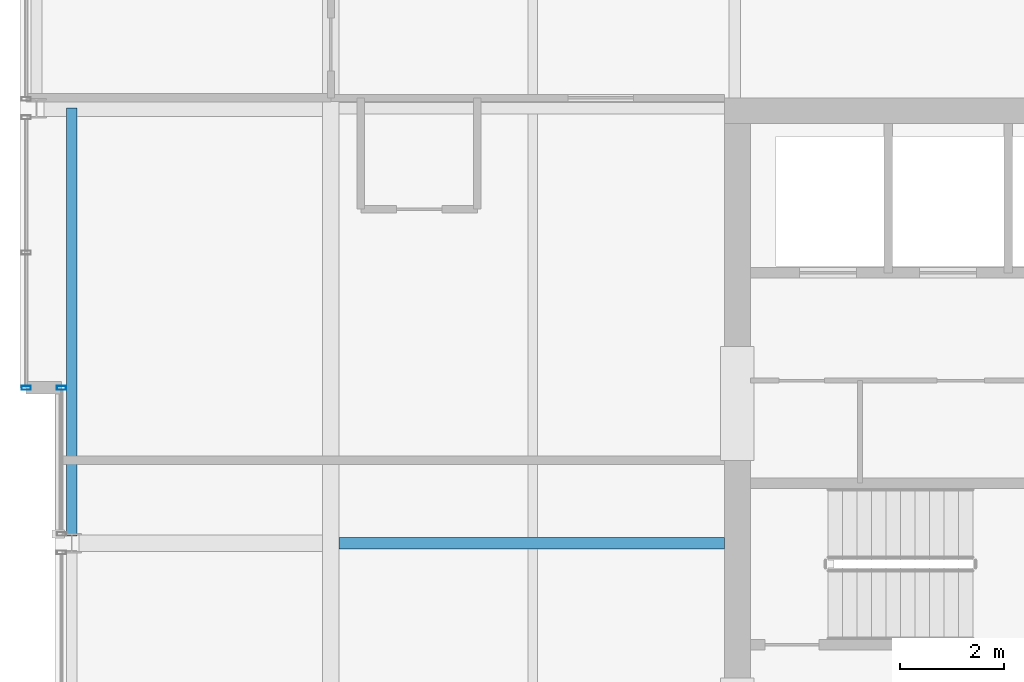
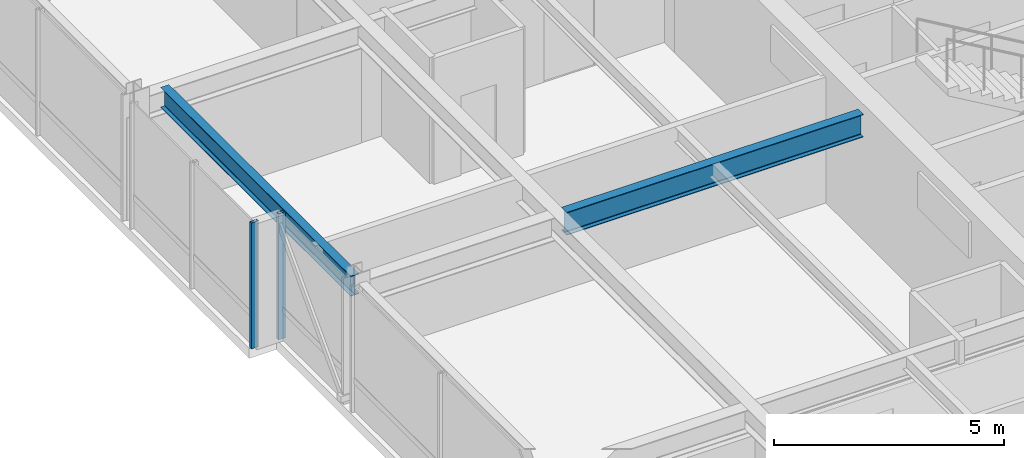
# One storey, part 11 of 33: 2 beams, 2 members, 2 elements without a shape of their own.
"""IFC4 building model written with IfcOpenShell, lengths in metres."""

from ifc_helpers import new_model, si_unit, direction, frame, origin, origin_2d, place, context, subcontext, project, spatial, hollow_rectangle, i_section, extrude, material, layer, layer_set, material_profile, profile_set, type_object, element, aggregate, save


model = new_model("IFC4")

# Units and contexts
model_context = context("Model", 3, precision=1e-05, world=origin(), true_north=direction((0.0, 1.0)))
body_context = subcontext(model_context, "Body", "Model", "MODEL_VIEW")
ifc_project = project(units=[si_unit("LENGTHUNIT", "METRE"), si_unit("AREAUNIT", "SQUARE_METRE"), si_unit("VOLUMEUNIT", "CUBIC_METRE"), si_unit("PLANEANGLEUNIT", "RADIAN"), si_unit("MASSUNIT", "GRAM", prefix="KILO")], contexts=[model_context])

# Site, building, storey
site_placement = place(None, origin())
site = spatial("IfcSite", under=ifc_project, at=site_placement, CompositionType="ELEMENT")
building_placement = place(site_placement, origin())
building = spatial("IfcBuilding", under=site, at=building_placement, Name="Drelvath Grand Hotel", CompositionType="ELEMENT")
storey_placement = place(building_placement, frame((0.0, 0.0, 248.300048828125)))
storey = spatial("IfcBuildingStorey", under=building, at=storey_placement, Name="L65", CompositionType="ELEMENT", Elevation=248.300048828125)

# Curtain wall, member
ifc_material_1 = material(Name="Platinum-Mist Anodised Aluminium Frame", Category="aluminium")
ifc_layer = layer(ifc_material_1, 0.199951171875)
ifc_layer_set = layer_set([ifc_layer], Name="Platinum-Mist Anodised Aluminium Frame")
curtain_wall_type = type_object("IfcCurtainWallType", Name="Stick Curtain Wall CW-05 Platinum Mist High-Rise", PredefinedType="NOTDEFINED", material=ifc_layer_set)
curtain_wall_1_placement = place(storey_placement, origin())
curtain_wall_1 = element("IfcCurtainWall", 1, at=curtain_wall_1_placement, inside=storey, type_object=curtain_wall_type, Name="L65 CW-05 Curtain Wall CW05-L65-WM2", PredefinedType="NOTDEFINED")
ifc_material_profile_1 = material_profile(ifc_material_1, hollow_rectangle(XDim=0.074951171875, YDim=0.179931640625, WallThickness=0.0048828125, at=origin_2d()), Name="HSS180X75X5")
ifc_profile_set_1 = profile_set([ifc_material_profile_1], Name="Platinum-Mist Anodised Aluminium Frame")
member_type = type_object("IfcMemberType", Name="Curtain Wall Vertical Mullion CW-05 HSS180X75X5", PredefinedType="MULLION", material=ifc_profile_set_1)
member_1_placement = place(storey_placement, frame((-21.39990234375, 30.0, 0.0), z_axis=(0.0, 0.0, 1.0), x_axis=(0.0, 1.0, 0.0)))
member_1 = element("IfcMember", 2, at=member_1_placement, type_object=member_type, Name="CW05-L65-WM2 Mullion 2", PredefinedType="MULLION", context=body_context, shape_type="SweptSolid", body=[
    extrude(hollow_rectangle(XDim=0.074951171875, YDim=0.179931640625, WallThickness=0.0048828125, at=origin_2d()), origin(), (0.0, 0.0, 1.0), 3.33984375),
])
aggregate(curtain_wall_1, [member_1])

curtain_wall_2_placement = place(storey_placement, origin())
curtain_wall_2 = element("IfcCurtainWall", 3, at=curtain_wall_2_placement, inside=storey, type_object=curtain_wall_type, Name="L65 CW-05 Curtain Wall CW05-L65-WN1", PredefinedType="NOTDEFINED")
member_2_placement = place(storey_placement, frame((-22.080078125, 30.0, 0.0), z_axis=(0.0, 0.0, 1.0), x_axis=(0.0, 1.0, 0.0)))
member_2 = element("IfcMember", 4, at=member_2_placement, type_object=member_type, Name="CW05-L65-WN1 Mullion 1", PredefinedType="MULLION", context=body_context, shape_type="SweptSolid", body=[
    extrude(hollow_rectangle(XDim=0.074951171875, YDim=0.179931640625, WallThickness=0.0048828125, at=origin_2d()), origin(), (0.0, 0.0, 1.0), 3.33984375),
])
aggregate(curtain_wall_2, [member_2])

# Beams
ifc_material_2 = material(Name="Steel ASTM A992 Gr 50", Category="steel")
ifc_material_profile_2 = material_profile(ifc_material_2, i_section(OverallWidth=0.210205078125, OverallDepth=0.53662109375, WebThickness=0.010986328125, FlangeThickness=0.017333984375, FilletRadius=0.01806640625, at=origin_2d()), Name="W21X68")
ifc_profile_set_2 = profile_set([ifc_material_profile_2], Name="Steel ASTM A992 Gr 50")
beam_type_1 = type_object("IfcBeamType", Name="Perimeter Spandrel Beam W21X68", PredefinedType="SPANDREL", material=ifc_profile_set_2)
beam_1_placement = place(storey_placement, frame((-21.199951171875, 27.139892578125, 3.071533203125), z_axis=(0.0, 1.0, 0.0), x_axis=(-1.0, 0.0, 0.0)))
element("IfcBeam", 5, at=beam_1_placement, inside=storey, type_object=beam_type_1, Name="L65 Spandrel West Mid N", PredefinedType="SPANDREL", context=body_context, shape_type="SweptSolid", body=[
    extrude(i_section(OverallWidth=0.210205078125, OverallDepth=0.53662109375, WebThickness=0.010986328125, FlangeThickness=0.017333984375, FilletRadius=0.01806640625, at=origin_2d()), origin(), (0.0, 0.0, 1.0), 8.260009765625),
])
ifc_material_profile_3 = material_profile(ifc_material_2, i_section(OverallWidth=0.228271484375, OverallDepth=0.607666015625, WebThickness=0.01123046875, FlangeThickness=0.017333984375, FilletRadius=0.02001953125, at=origin_2d()), Name="W24X76")
ifc_profile_set_3 = profile_set([ifc_material_profile_3], Name="Steel ASTM A992 Gr 50")
beam_type_2 = type_object("IfcBeamType", Name="Primary Floor Girder W24X76", PredefinedType="BEAM", material=ifc_profile_set_3)
beam_2_placement = place(storey_placement, frame((-16.0380859375, 27.0, 3.0361328125), z_axis=(1.0, 0.0, 0.0), x_axis=(0.0, 1.0, 0.0)))
element("IfcBeam", 6, at=beam_2_placement, inside=storey, type_object=beam_type_2, Name="L65 West Core Tie E", PredefinedType="BEAM", context=body_context, shape_type="SweptSolid", body=[
    extrude(i_section(OverallWidth=0.228271484375, OverallDepth=0.607666015625, WebThickness=0.01123046875, FlangeThickness=0.017333984375, FilletRadius=0.02001953125, at=origin_2d()), origin(), (0.0, 0.0, 1.0), 7.43798828125),
])

save(model, "model.ifc")
